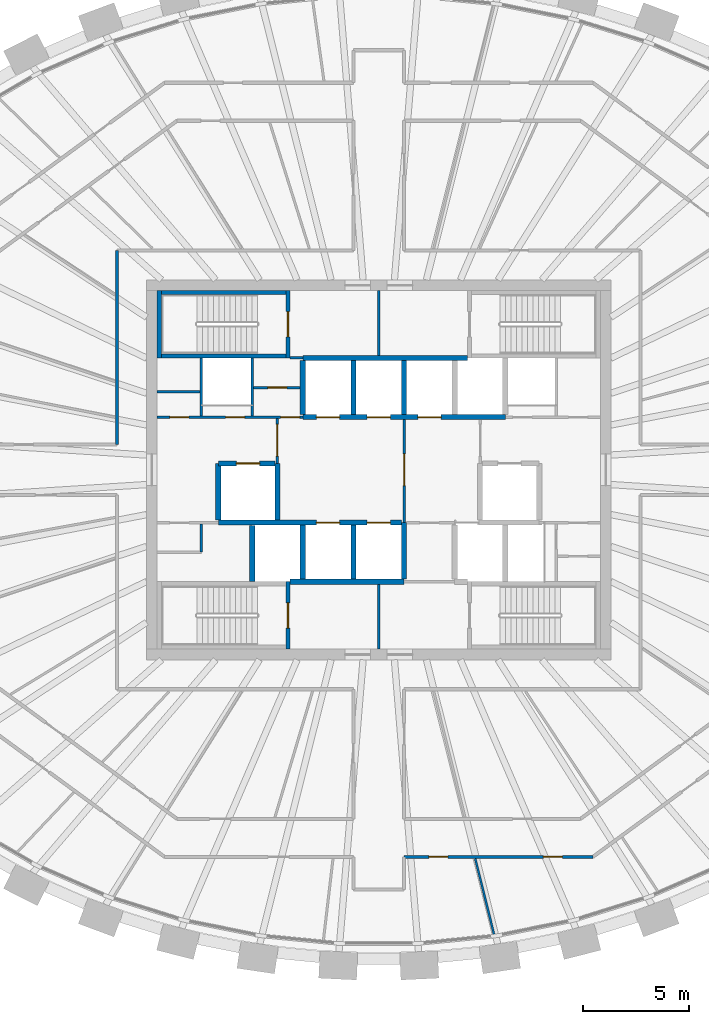
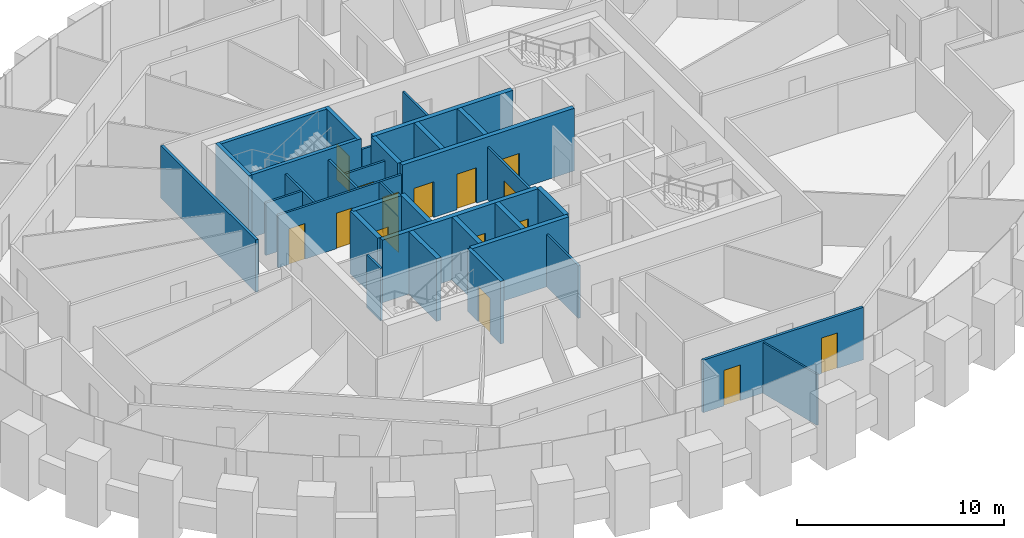
# One storey, part 7 of 11: 33 walls, 16 doors, 16 openings.
"""IFC4 building model written with IfcOpenShell, lengths in metres."""

from ifc_helpers import new_model, si_unit, direction, frame, frame_2d, origin, place, context, subcontext, project, spatial, rectangle, extrude, source, transform, mapped, material, layer, layer_set, type_object, element, fill, save


model = new_model("IFC4")

# Units and contexts
model_context = context("Model", 3, precision=1e-05, world=origin(), true_north=direction((0.0, 1.0)))
body_context = subcontext(model_context, "Body", "Model", "MODEL_VIEW")
ifc_project = project(units=[si_unit("LENGTHUNIT", "METRE"), si_unit("AREAUNIT", "SQUARE_METRE"), si_unit("VOLUMEUNIT", "CUBIC_METRE"), si_unit("PLANEANGLEUNIT", "RADIAN"), si_unit("MASSUNIT", "GRAM", prefix="KILO")], contexts=[model_context])

# Site, building, storey
site_placement = place(None, origin())
site = spatial("IfcSite", under=ifc_project, at=site_placement, CompositionType="ELEMENT")
building_placement = place(site_placement, origin())
building = spatial("IfcBuilding", under=site, at=building_placement, Name="Embergate Tower", CompositionType="ELEMENT")
storey_placement = place(building_placement, frame((0.0, 0.0, 305.199951171875)))
storey = spatial("IfcBuildingStorey", under=building, at=storey_placement, Name="L71", CompositionType="ELEMENT", Elevation=305.199951171875)

# Walls
ifc_material_1 = material(Name="Concrete C50", Category="concrete")
ifc_layer_1 = layer(ifc_material_1, 0.25)
ifc_layer_set_1 = layer_set([ifc_layer_1], Name="Concrete C50")
wall_type_1 = type_object("IfcWallType", Name="Hoistway wall reinforced concrete 250", PredefinedType="SHEAR", material=ifc_layer_set_1)
shared_shape_1 = source(origin(), body_context, "Body", "SweptSolid", [
    extrude(rectangle(XDim=2.675048828125, YDim=0.25, at=frame_2d((1.33740234375, 0.0))), origin(), (0.0, 0.0, 1.0), 3.699951171875),
])
for number, where, z_axis, x_axis, name in (
    (1, (1.199951171875, -5.175048828125, 0.0), (0.0, 0.0, 1.0), (0.0, 1.0, 0.0), "HW-1 wall"),
    (2, (-4.800048828125, 0.300048828125, 0.0), (0.0, 0.0, 1.0), (0.0, -1.0, 0.0), "HW-1 wall"),
):
    element("IfcWall", number, at=place(storey_placement, frame(where, z_axis=z_axis, x_axis=x_axis)), inside=storey, type_object=wall_type_1, Name=name, PredefinedType="SHEAR", context=body_context, shape_type="MappedRepresentation", body=[
        mapped(shared_shape_1, transform((0.0, 0.0, 0.0))),
    ])

# Wall, opening, door
wall_1_placement = place(storey_placement, frame((-4.925048828125, 0.300048828125, 0.0), z_axis=(0.0, 0.0, 1.0), x_axis=(-1.0, 0.0, 0.0)))
wall_1 = element("IfcWall", 3, at=wall_1_placement, inside=storey, type_object=wall_type_1, Name="HW-1 wall", PredefinedType="SHEAR", context=body_context, shape_type="MappedRepresentation", body=[
    mapped(shared_shape_1, transform((0.0, 0.0, 0.0))),
])
shared_shape_2 = source(origin(), body_context, "Body", "SweptSolid", [
    extrude(rectangle(XDim=1.10009765625, YDim=2.10009765625, at=frame_2d((0.550048828125, 1.050048828125))), frame((0.0, 0.135009765625, 0.0), z_axis=(0.0, -1.0, 0.0), x_axis=(1.0, 0.0, 0.0)), (0.0, 0.0, 1.0), 0.27001953125),
])
opening_1_placement = place(wall_1_placement, frame((0.72509765625, 0.0, 0.0)))
opening_1 = element("IfcOpeningElement", 4, at=opening_1_placement, cuts=wall_1, Name="Opening LD", PredefinedType="OPENING", context=body_context, shape_type="MappedRepresentation", body=[
    mapped(shared_shape_2, transform((0.0, 0.0, 0.0))),
])
ifc_material_2 = material(Name="Landing door sliding 1100")
door_type_1 = type_object("IfcDoorType", Name="Landing door sliding 1100", OperationType="SLIDING_TO_LEFT", PredefinedType="DOOR", material=ifc_material_2)
shared_shape_3 = source(origin(), body_context, "Body", "SweptSolid", [
    extrude(rectangle(XDim=1.10009765625, YDim=2.10009765625, at=frame_2d((0.550048828125, 1.050048828125))), frame((0.0, 0.02490234375, 0.0), z_axis=(0.0, -1.0, 0.0), x_axis=(1.0, 0.0, 0.0)), (0.0, 0.0, 1.0), 0.050048828125),
])
door_1_placement = place(opening_1_placement, origin())
door_1 = element("IfcDoor", 5, at=door_1_placement, inside=storey, type_object=door_type_1, Name="LD door", OperationType="SLIDING_TO_RIGHT", OverallHeight=2.10009765625, OverallWidth=1.10009765625, PredefinedType="DOOR", context=body_context, shape_type="MappedRepresentation", body=[
    mapped(shared_shape_3, transform((0.0, 0.0, 0.0))),
])
fill(opening_1, door_1)

# Walls
wall_2_placement = place(storey_placement, frame((-7.60009765625, 0.300048828125, 0.0), z_axis=(0.0, 0.0, 1.0), x_axis=(0.0, -1.0, 0.0)))
element("IfcWall", 6, at=wall_2_placement, inside=storey, type_object=wall_type_1, Name="HW-1 wall", PredefinedType="SHEAR", context=body_context, shape_type="MappedRepresentation", body=[
    mapped(shared_shape_1, transform((0.0, 0.0, 0.0))),
])
ifc_layer_2 = layer(ifc_material_1, 0.199951171875)
ifc_layer_set_2 = layer_set([ifc_layer_2], Name="Concrete C50")
wall_type_2 = type_object("IfcWallType", Name="Stair enclosure wall reinforced concrete 250", PredefinedType="SHEAR", material=ifc_layer_set_2)
shared_shape_4 = source(origin(), body_context, "Body", "SweptSolid", [
    extrude(rectangle(XDim=6.300048828125, YDim=0.199951171875, at=frame_2d((3.14990234375, 0.0))), origin(), (0.0, 0.0, 1.0), 3.699951171875),
])
wall_3_placement = place(storey_placement, frame((-4.199951171875, 5.39990234375, 0.0), z_axis=(0.0, 0.0, 1.0), x_axis=(-1.0, 0.0, 0.0)))
element("IfcWall", 7, at=wall_3_placement, inside=storey, type_object=wall_type_2, Name="SE-1 wall", PredefinedType="SHEAR", context=body_context, shape_type="MappedRepresentation", body=[
    mapped(shared_shape_4, transform((0.0, 0.0, 0.0))),
])
ifc_material_3 = material(Name="Core partition blockwork 120")
ifc_layer_3 = layer(ifc_material_3, 0.1201171875)
ifc_layer_set_3 = layer_set([ifc_layer_3], Name="Core partition blockwork 120")
wall_type_3 = type_object("IfcWallType", Name="Core partition blockwork 120", PredefinedType="PARTITIONING", material=ifc_layer_set_3)
shared_shape_5 = source(origin(), body_context, "Body", "SweptSolid", [
    extrude(rectangle(XDim=2.739990234375, YDim=0.1201171875, at=frame_2d((1.3701171875, 0.0))), origin(), (0.0, 0.0, 1.0), 3.10009765625),
])
wall_4_placement = place(storey_placement, frame((-6.0, 2.56005859375, 0.0), z_axis=(0.0, 0.0, 1.0), x_axis=(0.0, 1.0, 0.0)))
element("IfcWall", 8, at=wall_4_placement, inside=storey, type_object=wall_type_3, Name="IP-3 wall", PredefinedType="PARTITIONING", context=body_context, shape_type="MappedRepresentation", body=[
    mapped(shared_shape_5, transform((0.0, 0.0, 0.0))),
])
shared_shape_6 = source(origin(), body_context, "Body", "SweptSolid", [
    extrude(rectangle(XDim=2.550048828125, YDim=0.25, at=frame_2d((1.27490234375, 0.0))), origin(), (0.0, 0.0, 1.0), 3.699951171875),
])
for number, where, z_axis, x_axis, name in (
    (9, (-1.199951171875, 2.625, 0.0), (0.0, 0.0, 1.0), (0.0, 1.0, 0.0), "HW-1 wall"),
    (10, (-3.60009765625, 5.175048828125, 0.0), (0.0, 0.0, 1.0), (0.0, -1.0, 0.0), "HW-1 wall"),
    (11, (1.199951171875, 2.625, 0.0), (0.0, 0.0, 1.0), (0.0, 1.0, 0.0), "HW-1 wall"),
    (12, (-3.60009765625, -5.175048828125, 0.0), (0.0, 0.0, 1.0), (0.0, 1.0, 0.0), "HW-1 wall"),
    (13, (-1.199951171875, -5.175048828125, 0.0), (0.0, 0.0, 1.0), (0.0, 1.0, 0.0), "HW-1 wall"),
):
    element("IfcWall", number, at=place(storey_placement, frame(where, z_axis=z_axis, x_axis=x_axis)), inside=storey, type_object=wall_type_1, Name=name, PredefinedType="SHEAR", context=body_context, shape_type="MappedRepresentation", body=[
        mapped(shared_shape_6, transform((0.0, 0.0, 0.0))),
    ])

# Wall, opening, door
shared_shape_7 = source(origin(), body_context, "Body", "SweptSolid", [
    extrude(rectangle(XDim=3.199951171875, YDim=0.199951171875, at=frame_2d((1.60009765625, 0.0))), origin(), (0.0, 0.0, 1.0), 3.699951171875),
])
wall_5_placement = place(storey_placement, frame((-4.300048828125, 5.300048828125, 0.0), z_axis=(0.0, 0.0, 1.0), x_axis=(0.0, 1.0, 0.0)))
wall_5 = element("IfcWall", 14, at=wall_5_placement, inside=storey, type_object=wall_type_2, Name="SE-1 wall", PredefinedType="SHEAR", context=body_context, shape_type="MappedRepresentation", body=[
    mapped(shared_shape_7, transform((0.0, 0.0, 0.0))),
])
shared_shape_8 = source(origin(), body_context, "Body", "SweptSolid", [
    extrude(rectangle(XDim=1.199951171875, YDim=2.10009765625, at=frame_2d((0.60009765625, 1.050048828125))), frame((0.0, 0.10986328125, 0.0), z_axis=(0.0, -1.0, 0.0), x_axis=(1.0, 0.0, 0.0)), (0.0, 0.0, 1.0), 0.219970703125),
])
opening_2_placement = place(wall_5_placement, frame((1.0, 0.0, 0.0)))
opening_2 = element("IfcOpeningElement", 15, at=opening_2_placement, cuts=wall_5, Name="Opening IF-2", PredefinedType="OPENING", context=body_context, shape_type="MappedRepresentation", body=[
    mapped(shared_shape_8, transform((0.0, 0.0, 0.0))),
])
ifc_material_4 = material(Name="Stair enclosure door 1200")
door_type_2 = type_object("IfcDoorType", Name="Stair enclosure door 1200", OperationType="SINGLE_SWING_LEFT", PredefinedType="DOOR", material=ifc_material_4)
shared_shape_9 = source(origin(), body_context, "Body", "SweptSolid", [
    extrude(rectangle(XDim=1.199951171875, YDim=2.10009765625, at=frame_2d((0.60009765625, 1.050048828125))), frame((0.0, 0.02490234375, 0.0), z_axis=(0.0, -1.0, 0.0), x_axis=(1.0, 0.0, 0.0)), (0.0, 0.0, 1.0), 0.050048828125),
])
door_2_placement = place(opening_2_placement, origin())
door_2 = element("IfcDoor", 16, at=door_2_placement, inside=storey, type_object=door_type_2, Name="IF-2 door", OperationType="SINGLE_SWING_LEFT", OverallHeight=2.10009765625, OverallWidth=1.199951171875, PredefinedType="DOOR", context=body_context, shape_type="MappedRepresentation", body=[
    mapped(shared_shape_9, transform((0.0, 0.0, 0.0))),
])
fill(opening_2, door_2)

wall_6_placement = place(storey_placement, frame((-4.300048828125, -8.5, 0.0), z_axis=(0.0, 0.0, 1.0), x_axis=(0.0, 1.0, 0.0)))
wall_6 = element("IfcWall", 17, at=wall_6_placement, inside=storey, type_object=wall_type_2, Name="SE-1 wall", PredefinedType="SHEAR", context=body_context, shape_type="MappedRepresentation", body=[
    mapped(shared_shape_7, transform((0.0, 0.0, 0.0))),
])
opening_3_placement = place(wall_6_placement, frame((1.0, 0.0, 0.0)))
opening_3 = element("IfcOpeningElement", 18, at=opening_3_placement, cuts=wall_6, Name="Opening IF-2", PredefinedType="OPENING", context=body_context, shape_type="MappedRepresentation", body=[
    mapped(shared_shape_8, transform((0.0, 0.0, 0.0))),
])
door_3_placement = place(opening_3_placement, origin())
door_3 = element("IfcDoor", 19, at=door_3_placement, inside=storey, type_object=door_type_2, Name="IF-2 door", OperationType="SINGLE_SWING_RIGHT", OverallHeight=2.10009765625, OverallWidth=1.199951171875, PredefinedType="DOOR", context=body_context, shape_type="MappedRepresentation", body=[
    mapped(shared_shape_9, transform((0.0, 0.0, 0.0))),
])
fill(opening_3, door_3)

# Walls
wall_7_placement = place(storey_placement, frame((-10.39990234375, 8.5, 0.0), z_axis=(0.0, 0.0, 1.0), x_axis=(0.0, -1.0, 0.0)))
element("IfcWall", 20, at=wall_7_placement, inside=storey, type_object=wall_type_2, Name="SE-1 wall", PredefinedType="SHEAR", context=body_context, shape_type="MappedRepresentation", body=[
    mapped(shared_shape_7, transform((0.0, 0.0, 0.0))),
])
shared_shape_10 = source(origin(), body_context, "Body", "SweptSolid", [
    extrude(rectangle(XDim=2.671142578125, YDim=0.25, at=frame_2d((1.33544921875, 0.0))), origin(), (0.0, 0.0, 1.0), 3.699951171875),
])
wall_8_placement = place(storey_placement, frame((-6.0, -2.626953125, 0.0), z_axis=(0.0, 0.0, 1.0), x_axis=(0.0, -1.0, 0.0)))
element("IfcWall", 21, at=wall_8_placement, inside=storey, type_object=wall_type_1, Name="HW-1 wall", PredefinedType="SHEAR", context=body_context, shape_type="MappedRepresentation", body=[
    mapped(shared_shape_10, transform((0.0, 0.0, 0.0))),
])
shared_shape_11 = source(origin(), body_context, "Body", "SweptSolid", [
    extrude(rectangle(XDim=7.800048828125, YDim=0.25, at=frame_2d((3.89990234375, 0.0))), origin(), (0.0, 0.0, 1.0), 3.699951171875),
])
wall_9_placement = place(storey_placement, frame((4.199951171875, 5.300048828125, 0.0), z_axis=(0.0, 0.0, 1.0), x_axis=(-1.0, 0.0, 0.0)))
element("IfcWall", 22, at=wall_9_placement, inside=storey, type_object=wall_type_1, Name="HW-1 wall", PredefinedType="SHEAR", context=body_context, shape_type="MappedRepresentation", body=[
    mapped(shared_shape_11, transform((0.0, 0.0, 0.0))),
])
shared_shape_12 = source(origin(), body_context, "Body", "SweptSolid", [
    extrude(rectangle(XDim=5.39990234375, YDim=0.25, at=frame_2d((2.699951171875, 0.0))), origin(), (0.0, 0.0, 1.0), 3.699951171875),
])
wall_10_placement = place(storey_placement, frame((-4.199951171875, -5.300048828125, 0.0), z_axis=(0.0, 0.0, 1.0), x_axis=(1.0, 0.0, 0.0)))
element("IfcWall", 23, at=wall_10_placement, inside=storey, type_object=wall_type_1, Name="HW-1 wall", PredefinedType="SHEAR", context=body_context, shape_type="MappedRepresentation", body=[
    mapped(shared_shape_12, transform((0.0, 0.0, 0.0))),
])
shared_shape_13 = source(origin(), body_context, "Body", "SweptSolid", [
    extrude(rectangle(XDim=6.298095703125, YDim=0.199951171875, at=frame_2d((3.14892578125, 0.0))), origin(), (0.0, 0.0, 1.0), 3.699951171875),
])
wall_11_placement = place(storey_placement, frame((-4.201904296875, 8.39990234375, 0.0), z_axis=(0.0, 0.0, 1.0), x_axis=(-1.0, 0.0, 0.0)))
element("IfcWall", 24, at=wall_11_placement, inside=storey, type_object=wall_type_2, Name="SE-1 wall", PredefinedType="SHEAR", context=body_context, shape_type="MappedRepresentation", body=[
    mapped(shared_shape_13, transform((0.0, 0.0, 0.0))),
])
ifc_material_5 = material(Name="Corridor wall dry-lined 150")
ifc_layer_4 = layer(ifc_material_5, 0.14990234375)
ifc_layer_set_4 = layer_set([ifc_layer_4], Name="Corridor wall dry-lined 150")
wall_type_4 = type_object("IfcWallType", Name="Corridor wall dry-lined 150", PredefinedType="PARTITIONING", material=ifc_layer_set_4)
shared_shape_14 = source(origin(), body_context, "Body", "SweptSolid", [
    extrude(rectangle(XDim=9.199951171875, YDim=0.14990234375, at=frame_2d((4.60009765625, 0.0))), origin(), (0.0, 0.0, 1.0), 3.10009765625),
])
wall_12_placement = place(storey_placement, frame((-12.39990234375, 10.39990234375, 0.0), z_axis=(0.0, 0.0, 1.0), x_axis=(0.0, -1.0, 0.0)))
element("IfcWall", 25, at=wall_12_placement, inside=storey, type_object=wall_type_4, Name="IP-2 wall", PredefinedType="PARTITIONING", context=body_context, shape_type="MappedRepresentation", body=[
    mapped(shared_shape_14, transform((0.0, 0.0, 0.0))),
])
shared_shape_15 = source(origin(), body_context, "Body", "SweptSolid", [
    extrude(rectangle(XDim=2.738037109375, YDim=0.1201171875, at=frame_2d((1.369140625, 0.0))), origin(), (0.0, 0.0, 1.0), 3.10009765625),
])
wall_13_placement = place(storey_placement, frame((-8.39990234375, 5.298095703125, 0.0), z_axis=(0.0, 0.0, 1.0), x_axis=(0.0, -1.0, 0.0)))
element("IfcWall", 26, at=wall_13_placement, inside=storey, type_object=wall_type_3, Name="IP-3 wall", PredefinedType="PARTITIONING", context=body_context, shape_type="MappedRepresentation", body=[
    mapped(shared_shape_15, transform((0.0, 0.0, 0.0))),
])

# Wall, opening, door
shared_shape_16 = source(origin(), body_context, "Body", "SweptSolid", [
    extrude(rectangle(XDim=4.875, YDim=0.1201171875, at=frame_2d((2.4375, 0.0))), origin(), (0.0, 0.0, 1.0), 3.10009765625),
])
wall_14_placement = place(storey_placement, frame((1.199951171875, -2.5, 0.0), z_axis=(0.0, 0.0, 1.0), x_axis=(0.0, 1.0, 0.0)))
wall_14 = element("IfcWall", 27, at=wall_14_placement, inside=storey, type_object=wall_type_3, Name="IP-3 wall", PredefinedType="PARTITIONING", context=body_context, shape_type="MappedRepresentation", body=[
    mapped(shared_shape_16, transform((0.0, 0.0, 0.0))),
])
shared_shape_17 = source(origin(), body_context, "Body", "SweptSolid", [
    extrude(rectangle(XDim=1.5, YDim=2.10009765625, at=frame_2d((0.75, 1.050048828125))), frame((0.0, 0.070068359375, 0.0), z_axis=(0.0, -1.0, 0.0), x_axis=(1.0, 0.0, 0.0)), (0.0, 0.0, 1.0), 0.14013671875),
])
opening_4_placement = place(wall_14_placement, frame((1.75, 0.0, 0.0)))
opening_4 = element("IfcOpeningElement", 28, at=opening_4_placement, cuts=wall_14, Name="Opening IF-3", PredefinedType="OPENING", context=body_context, shape_type="MappedRepresentation", body=[
    mapped(shared_shape_17, transform((0.0, 0.0, 0.0))),
])
ifc_material_6 = material(Name="Lobby fire door pair 1500")
door_type_3 = type_object("IfcDoorType", Name="Lobby fire door pair 1500", OperationType="DOUBLE_DOOR_SINGLE_SWING", PredefinedType="DOOR", material=ifc_material_6)
shared_shape_18 = source(origin(), body_context, "Body", "SweptSolid", [
    extrude(rectangle(XDim=1.5, YDim=2.10009765625, at=frame_2d((0.75, 1.050048828125))), frame((0.0, 0.02490234375, 0.0), z_axis=(0.0, -1.0, 0.0), x_axis=(1.0, 0.0, 0.0)), (0.0, 0.0, 1.0), 0.050048828125),
])
door_4_placement = place(opening_4_placement, origin())
door_4 = element("IfcDoor", 29, at=door_4_placement, inside=storey, type_object=door_type_3, Name="IF-3 door", OperationType="DOUBLE_DOOR_SINGLE_SWING", OverallHeight=2.10009765625, OverallWidth=1.5, PredefinedType="DOOR", context=body_context, shape_type="MappedRepresentation", body=[
    mapped(shared_shape_18, transform((0.0, 0.0, 0.0))),
])
fill(opening_4, door_4)

shared_shape_19 = source(origin(), body_context, "Body", "SweptSolid", [
    extrude(rectangle(XDim=2.139892578125, YDim=0.1201171875, at=frame_2d((1.06982421875, 0.0))), origin(), (0.0, 0.0, 1.0), 3.10009765625),
])
wall_15_placement = place(storey_placement, frame((-4.800048828125, 2.43994140625, 0.0), z_axis=(0.0, 0.0, 1.0), x_axis=(0.0, -1.0, 0.0)))
wall_15 = element("IfcWall", 30, at=wall_15_placement, inside=storey, type_object=wall_type_3, Name="IP-3 wall", PredefinedType="PARTITIONING", context=body_context, shape_type="MappedRepresentation", body=[
    mapped(shared_shape_19, transform((0.0, 0.0, 0.0))),
])
opening_5_placement = place(wall_15_placement, frame((0.2900390625, 0.0, 0.0)))
opening_5 = element("IfcOpeningElement", 31, at=opening_5_placement, cuts=wall_15, Name="Opening IF-3", PredefinedType="OPENING", context=body_context, shape_type="MappedRepresentation", body=[
    mapped(shared_shape_17, transform((0.0, 0.0, 0.0))),
])
door_5_placement = place(opening_5_placement, origin())
door_5 = element("IfcDoor", 32, at=door_5_placement, inside=storey, type_object=door_type_3, Name="IF-3 door", OperationType="DOUBLE_DOOR_SINGLE_SWING", OverallHeight=2.10009765625, OverallWidth=1.5, PredefinedType="DOOR", context=body_context, shape_type="MappedRepresentation", body=[
    mapped(shared_shape_18, transform((0.0, 0.0, 0.0))),
])
fill(opening_5, door_5)

# Walls
shared_shape_20 = source(origin(), body_context, "Body", "SweptSolid", [
    extrude(rectangle(XDim=3.074951171875, YDim=0.1201171875, at=frame_2d((1.53759765625, 0.0))), origin(), (0.0, 0.0, 1.0), 3.10009765625),
])
for number, where, z_axis, x_axis, name in (
    (33, (0.0, 5.425048828125, 0.0), (0.0, 0.0, 1.0), (0.0, 1.0, 0.0), "IP-3 wall"),
    (34, (0.0, -8.5, 0.0), (0.0, 0.0, 1.0), (0.0, 1.0, 0.0), "IP-3 wall"),
):
    element("IfcWall", number, at=place(storey_placement, frame(where, z_axis=z_axis, x_axis=x_axis)), inside=storey, type_object=wall_type_3, Name=name, PredefinedType="PARTITIONING", context=body_context, shape_type="MappedRepresentation", body=[
        mapped(shared_shape_20, transform((0.0, 0.0, 0.0))),
    ])
shared_shape_21 = source(origin(), body_context, "Body", "SweptSolid", [
    extrude(rectangle(XDim=0.599853515625, YDim=0.1201171875, at=frame_2d((0.2998046875, 0.0))), origin(), (0.0, 0.0, 1.0), 3.10009765625),
])
wall_16_placement = place(storey_placement, frame((-4.199951171875, 5.300048828125, 0.0), z_axis=(0.0, 0.0, 1.0), x_axis=(1.0, 0.0, 0.0)))
element("IfcWall", 35, at=wall_16_placement, inside=storey, type_object=wall_type_3, Name="IP-3 wall", PredefinedType="PARTITIONING", context=body_context, shape_type="MappedRepresentation", body=[
    mapped(shared_shape_21, transform((0.0, 0.0, 0.0))),
])
shared_shape_22 = source(origin(), body_context, "Body", "SweptSolid", [
    extrude(rectangle(XDim=2.0380859375, YDim=0.1201171875, at=frame_2d((1.01904296875, 0.0))), origin(), (0.0, 0.0, 1.0), 3.10009765625),
])
wall_17_placement = place(storey_placement, frame((-8.4619140625, 3.7041015625, 0.0), z_axis=(0.0, 0.0, 1.0), x_axis=(-1.0, 0.0, 0.0)))
element("IfcWall", 36, at=wall_17_placement, inside=storey, type_object=wall_type_3, Name="IP-3 wall", PredefinedType="PARTITIONING", context=body_context, shape_type="MappedRepresentation", body=[
    mapped(shared_shape_22, transform((0.0, 0.0, 0.0))),
])

# Wall, openings, doors
shared_shape_23 = source(origin(), body_context, "Body", "SweptSolid", [
    extrude(rectangle(XDim=9.60009765625, YDim=0.25, at=frame_2d((4.800048828125, 0.0))), origin(), (0.0, 0.0, 1.0), 3.699951171875),
])
wall_18_placement = place(storey_placement, frame((-3.60009765625, 2.5, 0.0), z_axis=(0.0, 0.0, 1.0), x_axis=(1.0, 0.0, 0.0)))
wall_18 = element("IfcWall", 37, at=wall_18_placement, inside=storey, type_object=wall_type_1, Name="HW-1 wall", PredefinedType="SHEAR", context=body_context, shape_type="MappedRepresentation", body=[
    mapped(shared_shape_23, transform((0.0, 0.0, 0.0))),
])
opening_6_placement = place(wall_18_placement, frame((0.64990234375, 0.0, 0.0)))
opening_6 = element("IfcOpeningElement", 38, at=opening_6_placement, cuts=wall_18, Name="Opening LD", PredefinedType="OPENING", context=body_context, shape_type="MappedRepresentation", body=[
    mapped(shared_shape_2, transform((0.0, 0.0, 0.0))),
])
opening_7_placement = place(wall_18_placement, frame((3.050048828125, 0.0, 0.0)))
opening_7 = element("IfcOpeningElement", 39, at=opening_7_placement, cuts=wall_18, Name="Opening LD", PredefinedType="OPENING", context=body_context, shape_type="MappedRepresentation", body=[
    mapped(shared_shape_2, transform((0.0, 0.0, 0.0))),
])
opening_8_placement = place(wall_18_placement, frame((5.449951171875, 0.0, 0.0)))
opening_8 = element("IfcOpeningElement", 40, at=opening_8_placement, cuts=wall_18, Name="Opening LD", PredefinedType="OPENING", context=body_context, shape_type="MappedRepresentation", body=[
    mapped(shared_shape_2, transform((0.0, 0.0, 0.0))),
])
door_6_placement = place(opening_6_placement, origin())
door_6 = element("IfcDoor", 41, at=door_6_placement, inside=storey, type_object=door_type_1, Name="LD door", OperationType="SLIDING_TO_LEFT", OverallHeight=2.10009765625, OverallWidth=1.10009765625, PredefinedType="DOOR", context=body_context, shape_type="MappedRepresentation", body=[
    mapped(shared_shape_3, transform((0.0, 0.0, 0.0))),
])
fill(opening_6, door_6)
door_7_placement = place(opening_7_placement, origin())
door_7 = element("IfcDoor", 42, at=door_7_placement, inside=storey, type_object=door_type_1, Name="LD door", OperationType="SLIDING_TO_RIGHT", OverallHeight=2.10009765625, OverallWidth=1.10009765625, PredefinedType="DOOR", context=body_context, shape_type="MappedRepresentation", body=[
    mapped(shared_shape_3, transform((0.0, 0.0, 0.0))),
])
fill(opening_7, door_7)
door_8_placement = place(opening_8_placement, origin())
door_8 = element("IfcDoor", 43, at=door_8_placement, inside=storey, type_object=door_type_1, Name="LD door", OperationType="SLIDING_TO_RIGHT", OverallHeight=2.10009765625, OverallWidth=1.10009765625, PredefinedType="DOOR", context=body_context, shape_type="MappedRepresentation", body=[
    mapped(shared_shape_3, transform((0.0, 0.0, 0.0))),
])
fill(opening_8, door_8)

shared_shape_24 = source(origin(), body_context, "Body", "SweptSolid", [
    extrude(rectangle(XDim=6.89990234375, YDim=0.1201171875, at=frame_2d((3.449951171875, 0.0))), origin(), (0.0, 0.0, 1.0), 3.10009765625),
])
wall_19_placement = place(storey_placement, frame((-10.5, 2.5, 0.0), z_axis=(0.0, 0.0, 1.0), x_axis=(1.0, 0.0, 0.0)))
wall_19 = element("IfcWall", 44, at=wall_19_placement, inside=storey, type_object=wall_type_3, Name="IP-3 wall", PredefinedType="PARTITIONING", context=body_context, shape_type="MappedRepresentation", body=[
    mapped(shared_shape_24, transform((0.0, 0.0, 0.0))),
])
shared_shape_25 = source(origin(), body_context, "Body", "SweptSolid", [
    extrude(rectangle(XDim=0.89990234375, YDim=2.10009765625, at=frame_2d((0.449951171875, 1.050048828125))), frame((0.0, 0.070068359375, 0.0), z_axis=(0.0, -1.0, 0.0), x_axis=(1.0, 0.0, 0.0)), (0.0, 0.0, 1.0), 0.14013671875),
])
opening_9_placement = place(wall_19_placement, frame((3.25, 0.0, 0.0)))
opening_9 = element("IfcOpeningElement", 45, at=opening_9_placement, cuts=wall_19, Name="Opening ID-1", PredefinedType="OPENING", context=body_context, shape_type="MappedRepresentation", body=[
    mapped(shared_shape_25, transform((0.0, 0.0, 0.0))),
])
opening_10_placement = place(wall_19_placement, frame((5.85009765625, 0.0, 0.0)))
opening_10 = element("IfcOpeningElement", 46, at=opening_10_placement, cuts=wall_19, Name="Opening ID-1", PredefinedType="OPENING", context=body_context, shape_type="MappedRepresentation", body=[
    mapped(shared_shape_25, transform((0.0, 0.0, 0.0))),
])
opening_11_placement = place(wall_19_placement, frame((0.60009765625, 0.0, 0.0)))
opening_11 = element("IfcOpeningElement", 47, at=opening_11_placement, cuts=wall_19, Name="Opening ID-1", PredefinedType="OPENING", context=body_context, shape_type="MappedRepresentation", body=[
    mapped(shared_shape_25, transform((0.0, 0.0, 0.0))),
])
ifc_material_7 = material(Name="Interior door 900")
door_type_4 = type_object("IfcDoorType", Name="Interior door 900", OperationType="SINGLE_SWING_LEFT", PredefinedType="DOOR", material=ifc_material_7)
shared_shape_26 = source(origin(), body_context, "Body", "SweptSolid", [
    extrude(rectangle(XDim=0.89990234375, YDim=2.10009765625, at=frame_2d((0.449951171875, 1.050048828125))), frame((0.0, 0.02490234375, 0.0), z_axis=(0.0, -1.0, 0.0), x_axis=(1.0, 0.0, 0.0)), (0.0, 0.0, 1.0), 0.050048828125),
])
door_9_placement = place(opening_9_placement, origin())
door_9 = element("IfcDoor", 48, at=door_9_placement, inside=storey, type_object=door_type_4, Name="ID-1 door", OperationType="SINGLE_SWING_LEFT", OverallHeight=2.10009765625, OverallWidth=0.89990234375, PredefinedType="DOOR", context=body_context, shape_type="MappedRepresentation", body=[
    mapped(shared_shape_26, transform((0.0, 0.0, 0.0))),
])
fill(opening_9, door_9)
door_10_placement = place(opening_10_placement, origin())
door_10 = element("IfcDoor", 49, at=door_10_placement, inside=storey, type_object=door_type_4, Name="ID-1 door", OperationType="SINGLE_SWING_RIGHT", OverallHeight=2.10009765625, OverallWidth=0.89990234375, PredefinedType="DOOR", context=body_context, shape_type="MappedRepresentation", body=[
    mapped(shared_shape_26, transform((0.0, 0.0, 0.0))),
])
fill(opening_10, door_10)
door_11_placement = place(opening_11_placement, origin())
door_11 = element("IfcDoor", 50, at=door_11_placement, inside=storey, type_object=door_type_4, Name="ID-1 door", OperationType="SINGLE_SWING_RIGHT", OverallHeight=2.10009765625, OverallWidth=0.89990234375, PredefinedType="DOOR", context=body_context, shape_type="MappedRepresentation", body=[
    mapped(shared_shape_26, transform((0.0, 0.0, 0.0))),
])
fill(opening_11, door_11)

# Wall, opening, door
shared_shape_27 = source(origin(), body_context, "Body", "SweptSolid", [
    extrude(rectangle(XDim=2.21484375, YDim=0.1201171875, at=frame_2d((1.107421875, 0.0))), origin(), (0.0, 0.0, 1.0), 3.10009765625),
])
wall_20_placement = place(storey_placement, frame((-3.72509765625, 3.89990234375, 0.0), z_axis=(0.0, 0.0, 1.0), x_axis=(-1.0, 0.0, 0.0)))
wall_20 = element("IfcWall", 51, at=wall_20_placement, inside=storey, type_object=wall_type_3, Name="IP-3 wall", PredefinedType="PARTITIONING", context=body_context, shape_type="MappedRepresentation", body=[
    mapped(shared_shape_27, transform((0.0, 0.0, 0.0))),
])
opening_12_placement = place(wall_20_placement, frame((0.625, 0.0, 0.0)))
opening_12 = element("IfcOpeningElement", 52, at=opening_12_placement, cuts=wall_20, Name="Opening ID-1", PredefinedType="OPENING", context=body_context, shape_type="MappedRepresentation", body=[
    mapped(shared_shape_25, transform((0.0, 0.0, 0.0))),
])
door_12_placement = place(opening_12_placement, origin())
door_12 = element("IfcDoor", 53, at=door_12_placement, inside=storey, type_object=door_type_4, Name="ID-1 door", OperationType="SINGLE_SWING_LEFT", OverallHeight=2.10009765625, OverallWidth=0.89990234375, PredefinedType="DOOR", context=body_context, shape_type="MappedRepresentation", body=[
    mapped(shared_shape_26, transform((0.0, 0.0, 0.0))),
])
fill(opening_12, door_12)

# Wall
shared_shape_28 = source(origin(), body_context, "Body", "SweptSolid", [
    extrude(rectangle(XDim=1.337890625, YDim=0.1201171875, at=frame_2d((0.6689453125, 0.0))), origin(), (0.0, 0.0, 1.0), 3.10009765625),
])
wall_21_placement = place(storey_placement, frame((-8.39990234375, -3.89990234375, 0.0), z_axis=(0.0, 0.0, 1.0), x_axis=(0.0, 1.0, 0.0)))
element("IfcWall", 54, at=wall_21_placement, inside=storey, type_object=wall_type_3, Name="IP-3 wall", PredefinedType="PARTITIONING", context=body_context, shape_type="MappedRepresentation", body=[
    mapped(shared_shape_28, transform((0.0, 0.0, 0.0))),
])

# Wall, openings, doors
shared_shape_29 = source(origin(), body_context, "Body", "SweptSolid", [
    extrude(rectangle(XDim=8.945068359375, YDim=0.14990234375, at=frame_2d((4.47265625, 0.0))), origin(), (0.0, 0.0, 1.0), 3.10009765625),
])
wall_22_placement = place(storey_placement, frame((10.14501953125, -18.341064453125, 0.0), z_axis=(0.0, 0.0, 1.0), x_axis=(-1.0, 0.0, 0.0)))
wall_22 = element("IfcWall", 55, at=wall_22_placement, inside=storey, type_object=wall_type_4, Name="IP-2 wall", PredefinedType="PARTITIONING", context=body_context, shape_type="MappedRepresentation", body=[
    mapped(shared_shape_29, transform((0.0, 0.0, 0.0))),
])
shared_shape_30 = source(origin(), body_context, "Body", "SweptSolid", [
    extrude(rectangle(XDim=0.89990234375, YDim=2.10009765625, at=frame_2d((0.449951171875, 1.050048828125))), frame((0.0, 0.0849609375, 0.0), z_axis=(0.0, -1.0, 0.0), x_axis=(1.0, 0.0, 0.0)), (0.0, 0.0, 1.0), 0.169921875),
])
opening_13_placement = place(wall_22_placement, frame((6.874267578125, 0.0, 0.0)))
opening_13 = element("IfcOpeningElement", 56, at=opening_13_placement, cuts=wall_22, Name="Opening IF-1c", PredefinedType="OPENING", context=body_context, shape_type="MappedRepresentation", body=[
    mapped(shared_shape_30, transform((0.0, 0.0, 0.0))),
])
opening_14_placement = place(wall_22_placement, frame((1.4462890625, 0.0, 0.0)))
opening_14 = element("IfcOpeningElement", 57, at=opening_14_placement, cuts=wall_22, Name="Opening IF-1c", PredefinedType="OPENING", context=body_context, shape_type="MappedRepresentation", body=[
    mapped(shared_shape_30, transform((0.0, 0.0, 0.0))),
])
ifc_material_8 = material(Name="Escape fire door 900")
door_type_5 = type_object("IfcDoorType", Name="Escape fire door 900", OperationType="SINGLE_SWING_LEFT", PredefinedType="DOOR", material=ifc_material_8)
door_13_placement = place(opening_13_placement, origin())
door_13 = element("IfcDoor", 58, at=door_13_placement, inside=storey, type_object=door_type_5, Name="IF-1 door", OperationType="SINGLE_SWING_LEFT", OverallHeight=2.10009765625, OverallWidth=0.89990234375, PredefinedType="DOOR", context=body_context, shape_type="MappedRepresentation", body=[
    mapped(shared_shape_26, transform((0.0, 0.0, 0.0))),
])
fill(opening_13, door_13)
door_14_placement = place(opening_14_placement, origin())
door_14 = element("IfcDoor", 59, at=door_14_placement, inside=storey, type_object=door_type_5, Name="IF-1 door", OperationType="SINGLE_SWING_RIGHT", OverallHeight=2.10009765625, OverallWidth=0.89990234375, PredefinedType="DOOR", context=body_context, shape_type="MappedRepresentation", body=[
    mapped(shared_shape_26, transform((0.0, 0.0, 0.0))),
])
fill(opening_14, door_14)

# Wall
ifc_material_9 = material(Name="Partition dry-lined 100 wet")
ifc_layer_5 = layer(ifc_material_9, 0.10009765625)
ifc_layer_set_5 = layer_set([ifc_layer_5], Name="Partition dry-lined 100 wet")
wall_type_5 = type_object("IfcWallType", Name="Partition dry-lined 100 wet", PredefinedType="PLUMBINGWALL", material=ifc_layer_set_5)
shared_shape_31 = source(origin(), body_context, "Body", "SweptSolid", [
    extrude(rectangle(XDim=3.7626953125, YDim=0.10009765625, at=frame_2d((1.88134765625, 0.0))), origin(), (0.0, 0.0, 1.0), 3.0),
])
wall_23_placement = place(storey_placement, frame((4.573974609375, -18.427978515625, 0.0), z_axis=(0.0, 0.0, 1.0), x_axis=(0.240779579239, -0.970579823725, 0.0)))
element("IfcWall", 60, at=wall_23_placement, inside=storey, type_object=wall_type_5, Name="IP-1 wall", PredefinedType="PLUMBINGWALL", context=body_context, shape_type="MappedRepresentation", body=[
    mapped(shared_shape_31, transform((0.0, 0.0, 0.0))),
])

# Wall, openings, doors
shared_shape_32 = source(origin(), body_context, "Body", "SweptSolid", [
    extrude(rectangle(XDim=8.6728515625, YDim=0.25, at=frame_2d((4.33642578125, 0.0))), origin(), (0.0, 0.0, 1.0), 3.699951171875),
])
wall_24_placement = place(storey_placement, frame((1.074951171875, -2.5, 0.0), z_axis=(0.0, 0.0, 1.0), x_axis=(-1.0, 0.0, 0.0)))
wall_24 = element("IfcWall", 61, at=wall_24_placement, inside=storey, type_object=wall_type_1, Name="HW-1 wall", PredefinedType="SHEAR", context=body_context, shape_type="MappedRepresentation", body=[
    mapped(shared_shape_32, transform((0.0, 0.0, 0.0))),
])
opening_15_placement = place(wall_24_placement, frame((2.925048828125, 0.0, 0.0)))
opening_15 = element("IfcOpeningElement", 62, at=opening_15_placement, cuts=wall_24, Name="Opening LD", PredefinedType="OPENING", context=body_context, shape_type="MappedRepresentation", body=[
    mapped(shared_shape_2, transform((0.0, 0.0, 0.0))),
])
opening_16_placement = place(wall_24_placement, frame((0.52490234375, 0.0, 0.0)))
opening_16 = element("IfcOpeningElement", 63, at=opening_16_placement, cuts=wall_24, Name="Opening LD", PredefinedType="OPENING", context=body_context, shape_type="MappedRepresentation", body=[
    mapped(shared_shape_2, transform((0.0, 0.0, 0.0))),
])
door_15_placement = place(opening_15_placement, origin())
door_15 = element("IfcDoor", 64, at=door_15_placement, inside=storey, type_object=door_type_1, Name="LD door", OperationType="SLIDING_TO_RIGHT", OverallHeight=2.10009765625, OverallWidth=1.10009765625, PredefinedType="DOOR", context=body_context, shape_type="MappedRepresentation", body=[
    mapped(shared_shape_3, transform((0.0, 0.0, 0.0))),
])
fill(opening_15, door_15)
door_16_placement = place(opening_16_placement, origin())
door_16 = element("IfcDoor", 65, at=door_16_placement, inside=storey, type_object=door_type_1, Name="LD door", OperationType="SLIDING_TO_RIGHT", OverallHeight=2.10009765625, OverallWidth=1.10009765625, PredefinedType="DOOR", context=body_context, shape_type="MappedRepresentation", body=[
    mapped(shared_shape_3, transform((0.0, 0.0, 0.0))),
])
fill(opening_16, door_16)

save(model, "model.ifc")
